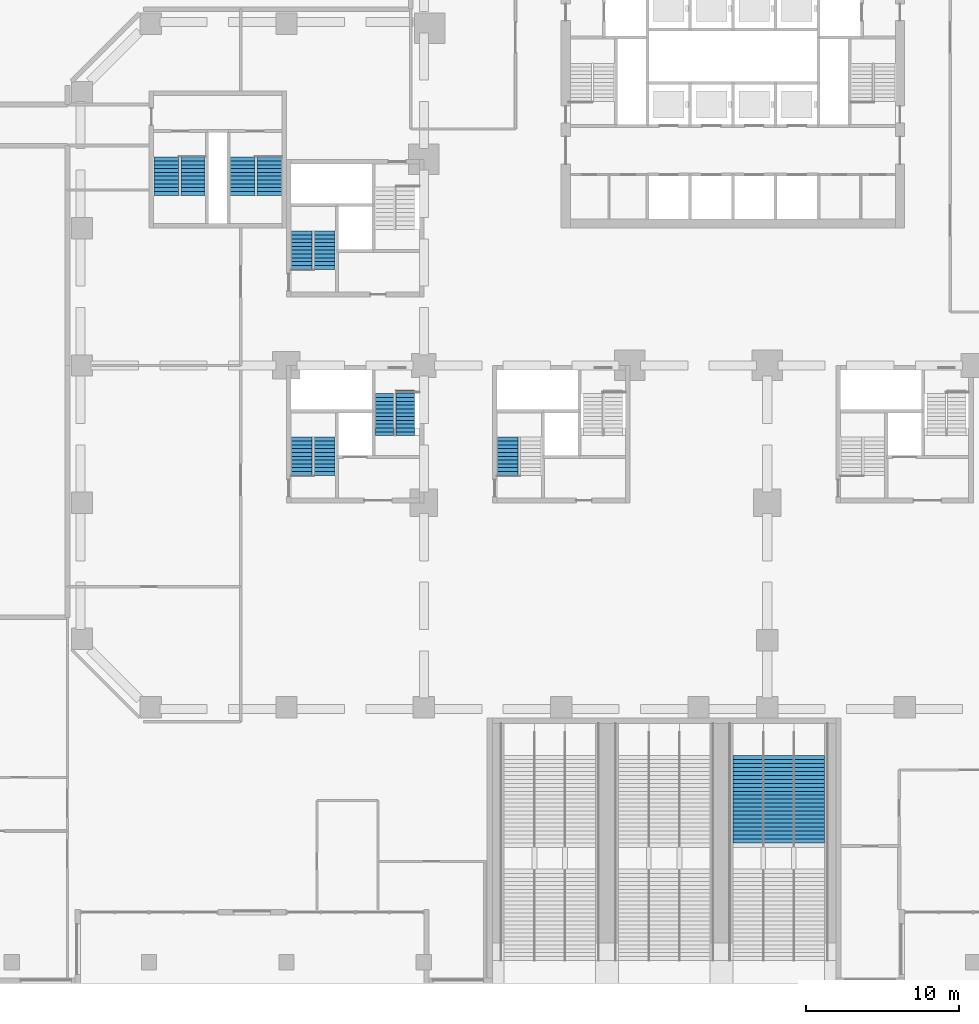
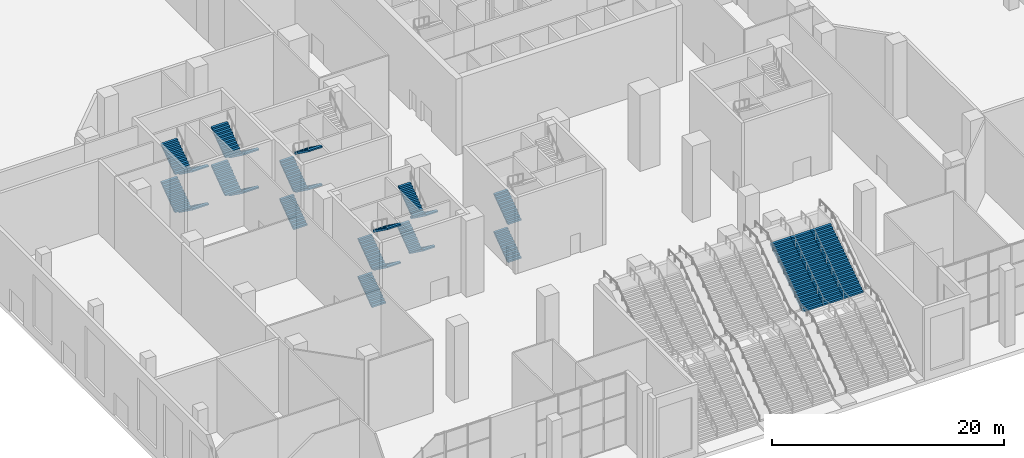
# One storey, part 19 of 32: 25 stair flights, 9 elements without a shape of their own.
"""IFC4 building model written with IfcOpenShell, lengths in metres."""

from ifc_helpers import new_model, si_unit, direction, frame, origin, place, context, subcontext, project, spatial, polyline, outline, extrude, material, constituent, constituent_set, type_object, element, aggregate, save


model = new_model("IFC4")

# Units and contexts
model_context = context("Model", 3, precision=1e-05, world=origin(), true_north=direction((0.0, 1.0)))
body_context = subcontext(model_context, "Body", "Model", "MODEL_VIEW")
ifc_project = project(units=[si_unit("LENGTHUNIT", "METRE"), si_unit("AREAUNIT", "SQUARE_METRE"), si_unit("VOLUMEUNIT", "CUBIC_METRE"), si_unit("PLANEANGLEUNIT", "RADIAN"), si_unit("MASSUNIT", "GRAM", prefix="KILO")], contexts=[model_context])

# Site, building, storey
site_placement = place(None, origin())
site = spatial("IfcSite", under=ifc_project, at=site_placement, CompositionType="ELEMENT")
building_placement = place(site_placement, origin())
building = spatial("IfcBuilding", under=site, at=building_placement, Name="Quoin Convention Tower", CompositionType="ELEMENT")
storey_placement = place(building_placement, origin())
storey = spatial("IfcBuildingStorey", under=building, at=storey_placement, Name="L00", CompositionType="ELEMENT", Elevation=0.0)

# Stair, stair flight
ifc_material_1 = material(Name="Concrete C40", Category="concrete")
ifc_constituent_1 = constituent(ifc_material_1, Name="Structure")
ifc_material_2 = material(Name="Granite", Category="masonry")
ifc_constituent_2 = constituent(ifc_material_2, Name="Finish")
ifc_constituent_set_1 = constituent_set(constituents=[ifc_constituent_1, ifc_constituent_2], Name="Concrete C40")
stair_type_1 = type_object("IfcStairType", Name="Broad street stair", PredefinedType="STRAIGHT_RUN_STAIR", material=ifc_constituent_set_1)
stair_1_placement = place(storey_placement, origin())
stair_1 = element("IfcStair", 1, at=stair_1_placement, inside=storey, type_object=stair_type_1, Name="Broad street stair 7", PredefinedType="STRAIGHT_RUN_STAIR")
ifc_constituent_3 = constituent(ifc_material_1, Name="Structure")
ifc_constituent_4 = constituent(ifc_material_2, Name="Finish")
ifc_constituent_set_2 = constituent_set(constituents=[ifc_constituent_3, ifc_constituent_4], Name="Concrete C40")
stair_flight_type_1 = type_object("IfcStairFlightType", Name="Broad street stair flight", PredefinedType="STRAIGHT", material=ifc_constituent_set_2)
stair_flight_1_placement = place(storey_placement, frame((57.25, 9.219970703125, 4.0), z_axis=(0.0, 0.0, 1.0), x_axis=(0.0, 1.0, 0.0)))
stair_flight_1 = element("IfcStairFlight", 2, at=stair_flight_1_placement, type_object=stair_flight_type_1, Name="BS7 flight 2", NumberOfRisers=23, NumberOfTreads=22, PredefinedType="STRAIGHT", RiserHeight=0.173913043, TreadLength=0.26, context=body_context, shape_type="SweptSolid", body=[
    extrude(outline(polyline([(0.0, 0.0), (0.0, 0.173828125), (0.260009765625, 0.173828125), (0.260009765625, 0.347900390625), (0.52001953125, 0.347900390625), (0.52001953125, 0.521728515625), (0.780029296875, 0.521728515625), (0.780029296875, 0.695556640625), (1.0400390625, 0.695556640625), (1.0400390625, 0.86962890625), (1.300048828125, 0.86962890625), (1.300048828125, 1.04345703125), (1.56005859375, 1.04345703125), (1.56005859375, 1.21728515625), (1.820068359375, 1.21728515625), (1.820068359375, 1.391357421875), (2.080078125, 1.391357421875), (2.080078125, 1.565185546875), (2.340087890625, 1.565185546875), (2.340087890625, 1.739013671875), (2.60009765625, 1.739013671875), (2.60009765625, 1.9130859375), (2.860107421875, 1.9130859375), (2.860107421875, 2.0869140625), (3.1201171875, 2.0869140625), (3.1201171875, 2.260986328125), (3.3798828125, 2.260986328125), (3.3798828125, 2.434814453125), (3.639892578125, 2.434814453125), (3.639892578125, 2.608642578125), (3.89990234375, 2.608642578125), (3.89990234375, 2.78271484375), (4.159912109375, 2.78271484375), (4.159912109375, 2.95654296875), (4.419921875, 2.95654296875), (4.419921875, 3.13037109375), (4.679931640625, 3.13037109375), (4.679931640625, 3.304443359375), (4.93994140625, 3.304443359375), (4.93994140625, 3.478271484375), (5.199951171875, 3.478271484375), (5.199951171875, 3.652099609375), (5.4599609375, 3.652099609375), (5.4599609375, 3.826171875), (5.719970703125, 3.826171875), (5.719970703125, 4.0), (5.719970703125, 3.645751953125), (0.26953125, 0.0), (0.0, 0.0)])), frame((0.0, 1.0, 0.0), z_axis=(0.0, -1.0, 0.0), x_axis=(1.0, 0.0, 0.0)), (0.0, 0.0, 1.0), 2.0),
])
aggregate(stair_1, [stair_flight_1])

stair_2_placement = place(storey_placement, origin())
stair_2 = element("IfcStair", 3, at=stair_2_placement, inside=storey, type_object=stair_type_1, Name="Broad street stair 8", PredefinedType="STRAIGHT_RUN_STAIR")
stair_flight_2_placement = place(storey_placement, frame((59.25, 9.219970703125, 4.0), z_axis=(0.0, 0.0, 1.0), x_axis=(0.0, 1.0, 0.0)))
stair_flight_2 = element("IfcStairFlight", 4, at=stair_flight_2_placement, type_object=stair_flight_type_1, Name="BS8 flight 2", NumberOfRisers=23, NumberOfTreads=22, PredefinedType="STRAIGHT", RiserHeight=0.173913043, TreadLength=0.26, context=body_context, shape_type="SweptSolid", body=[
    extrude(outline(polyline([(0.0, 0.0), (0.0, 0.173828125), (0.260009765625, 0.173828125), (0.260009765625, 0.347900390625), (0.52001953125, 0.347900390625), (0.52001953125, 0.521728515625), (0.780029296875, 0.521728515625), (0.780029296875, 0.695556640625), (1.0400390625, 0.695556640625), (1.0400390625, 0.86962890625), (1.300048828125, 0.86962890625), (1.300048828125, 1.04345703125), (1.56005859375, 1.04345703125), (1.56005859375, 1.21728515625), (1.820068359375, 1.21728515625), (1.820068359375, 1.391357421875), (2.080078125, 1.391357421875), (2.080078125, 1.565185546875), (2.340087890625, 1.565185546875), (2.340087890625, 1.739013671875), (2.60009765625, 1.739013671875), (2.60009765625, 1.9130859375), (2.860107421875, 1.9130859375), (2.860107421875, 2.0869140625), (3.1201171875, 2.0869140625), (3.1201171875, 2.260986328125), (3.3798828125, 2.260986328125), (3.3798828125, 2.434814453125), (3.639892578125, 2.434814453125), (3.639892578125, 2.608642578125), (3.89990234375, 2.608642578125), (3.89990234375, 2.78271484375), (4.159912109375, 2.78271484375), (4.159912109375, 2.95654296875), (4.419921875, 2.95654296875), (4.419921875, 3.13037109375), (4.679931640625, 3.13037109375), (4.679931640625, 3.304443359375), (4.93994140625, 3.304443359375), (4.93994140625, 3.478271484375), (5.199951171875, 3.478271484375), (5.199951171875, 3.652099609375), (5.4599609375, 3.652099609375), (5.4599609375, 3.826171875), (5.719970703125, 3.826171875), (5.719970703125, 4.0), (5.719970703125, 3.645751953125), (0.26953125, 0.0), (0.0, 0.0)])), frame((0.0, 1.0, 0.0), z_axis=(0.0, -1.0, 0.0), x_axis=(1.0, 0.0, 0.0)), (0.0, 0.0, 1.0), 2.0),
])
aggregate(stair_2, [stair_flight_2])

stair_3_placement = place(storey_placement, origin())
stair_3 = element("IfcStair", 5, at=stair_3_placement, inside=storey, type_object=stair_type_1, Name="Broad street stair 9", PredefinedType="STRAIGHT_RUN_STAIR")
stair_flight_3_placement = place(storey_placement, frame((61.25, 9.219970703125, 4.0), z_axis=(0.0, 0.0, 1.0), x_axis=(0.0, 1.0, 0.0)))
stair_flight_3 = element("IfcStairFlight", 6, at=stair_flight_3_placement, type_object=stair_flight_type_1, Name="BS9 flight 2", NumberOfRisers=23, NumberOfTreads=22, PredefinedType="STRAIGHT", RiserHeight=0.173913043, TreadLength=0.26, context=body_context, shape_type="SweptSolid", body=[
    extrude(outline(polyline([(0.0, 0.0), (0.0, 0.173828125), (0.260009765625, 0.173828125), (0.260009765625, 0.347900390625), (0.52001953125, 0.347900390625), (0.52001953125, 0.521728515625), (0.780029296875, 0.521728515625), (0.780029296875, 0.695556640625), (1.0400390625, 0.695556640625), (1.0400390625, 0.86962890625), (1.300048828125, 0.86962890625), (1.300048828125, 1.04345703125), (1.56005859375, 1.04345703125), (1.56005859375, 1.21728515625), (1.820068359375, 1.21728515625), (1.820068359375, 1.391357421875), (2.080078125, 1.391357421875), (2.080078125, 1.565185546875), (2.340087890625, 1.565185546875), (2.340087890625, 1.739013671875), (2.60009765625, 1.739013671875), (2.60009765625, 1.9130859375), (2.860107421875, 1.9130859375), (2.860107421875, 2.0869140625), (3.1201171875, 2.0869140625), (3.1201171875, 2.260986328125), (3.3798828125, 2.260986328125), (3.3798828125, 2.434814453125), (3.639892578125, 2.434814453125), (3.639892578125, 2.608642578125), (3.89990234375, 2.608642578125), (3.89990234375, 2.78271484375), (4.159912109375, 2.78271484375), (4.159912109375, 2.95654296875), (4.419921875, 2.95654296875), (4.419921875, 3.13037109375), (4.679931640625, 3.13037109375), (4.679931640625, 3.304443359375), (4.93994140625, 3.304443359375), (4.93994140625, 3.478271484375), (5.199951171875, 3.478271484375), (5.199951171875, 3.652099609375), (5.4599609375, 3.652099609375), (5.4599609375, 3.826171875), (5.719970703125, 3.826171875), (5.719970703125, 4.0), (5.719970703125, 3.645751953125), (0.26953125, 0.0), (0.0, 0.0)])), frame((0.0, 1.0, 0.0), z_axis=(0.0, -1.0, 0.0), x_axis=(1.0, 0.0, 0.0)), (0.0, 0.0, 1.0), 2.0),
])
aggregate(stair_3, [stair_flight_3])

# Stair, stair flights
stair_type_2 = type_object("IfcStairType", Name="Exit stair four-flight 1200", PredefinedType="DOUBLE_RETURN_STAIR", material=ifc_material_1)
stair_4_placement = place(storey_placement, origin())
stair_4 = element("IfcStair", 7, at=stair_4_placement, inside=storey, type_object=stair_type_2, Name="SD8 L00", PredefinedType="DOUBLE_RETURN_STAIR")
stair_flight_type_2 = type_object("IfcStairFlightType", Name="Stair flight 1200", PredefinedType="STRAIGHT", material=ifc_material_1)
stair_flight_4_placement = place(storey_placement, frame((34.77490234375, 38.89990234375, 0.0), z_axis=(0.0, 0.0, 1.0), x_axis=(0.0, -1.0, 0.0)))
stair_flight_4 = element("IfcStairFlight", 8, at=stair_flight_4_placement, type_object=stair_flight_type_2, Name="ST8 flight 1", NumberOfRisers=11, NumberOfTreads=10, PredefinedType="STRAIGHT", RiserHeight=0.181818182, TreadLength=0.25, context=body_context, shape_type="SweptSolid", body=[
    extrude(outline(polyline([(0.0, 0.0), (0.0, 0.181884765625), (0.25, 0.181884765625), (0.25, 0.363525390625), (0.5, 0.363525390625), (0.5, 0.54541015625), (0.75, 0.54541015625), (0.75, 0.727294921875), (1.0, 0.727294921875), (1.0, 0.9091796875), (1.25, 0.9091796875), (1.25, 1.0908203125), (1.5, 1.0908203125), (1.5, 1.272705078125), (1.75, 1.272705078125), (1.75, 1.45458984375), (2.0, 1.45458984375), (2.0, 1.636474609375), (2.25, 1.636474609375), (2.25, 1.818115234375), (2.5, 1.818115234375), (2.5, 2.0), (2.5, 1.669677734375), (0.2041015625, 0.0), (0.0, 0.0)])), frame((0.0, 0.60009765625, 0.0), z_axis=(0.0, -1.0, 0.0), x_axis=(1.0, 0.0, 0.0)), (0.0, 0.0, 1.0), 1.199951171875),
])
stair_flight_5_placement = place(storey_placement, frame((33.425048828125, 36.39990234375, 2.0), z_axis=(0.0, 0.0, 1.0), x_axis=(0.0, 1.0, 0.0)))
stair_flight_5 = element("IfcStairFlight", 9, at=stair_flight_5_placement, type_object=stair_flight_type_2, Name="ST8 flight 2", NumberOfRisers=10, NumberOfTreads=9, PredefinedType="STRAIGHT", RiserHeight=0.181818182, TreadLength=0.25, context=body_context, shape_type="SweptSolid", body=[
    extrude(outline(polyline([(0.0, 0.0), (0.0, 0.181884765625), (0.25, 0.181884765625), (0.25, 0.363525390625), (0.5, 0.363525390625), (0.5, 0.54541015625), (0.75, 0.54541015625), (0.75, 0.727294921875), (1.0, 0.727294921875), (1.0, 0.9091796875), (1.25, 0.9091796875), (1.25, 1.0908203125), (1.5, 1.0908203125), (1.5, 1.272705078125), (1.75, 1.272705078125), (1.75, 1.45458984375), (2.0, 1.45458984375), (2.0, 1.636474609375), (2.25, 1.636474609375), (2.25, 1.818115234375), (2.25, 1.48779296875), (0.2041015625, 0.0), (0.0, 0.0)])), frame((0.0, 0.60009765625, 0.0), z_axis=(0.0, -1.0, 0.0), x_axis=(1.0, 0.0, 0.0)), (0.0, 0.0, 1.0), 1.199951171875),
])
stair_flight_6_placement = place(storey_placement, frame((34.77490234375, 38.64990234375, 3.818115234375), z_axis=(0.0, 0.0, 1.0), x_axis=(0.0, -1.0, 0.0)))
stair_flight_6 = element("IfcStairFlight", 10, at=stair_flight_6_placement, type_object=stair_flight_type_2, Name="ST8 flight 3", NumberOfRisers=12, NumberOfTreads=11, PredefinedType="STRAIGHT", RiserHeight=0.181818182, TreadLength=0.25, context=body_context, shape_type="SweptSolid", body=[
    extrude(outline(polyline([(0.0, 0.0), (0.0, 0.181884765625), (0.25, 0.181884765625), (0.25, 0.363525390625), (0.5, 0.363525390625), (0.5, 0.54541015625), (0.75, 0.54541015625), (0.75, 0.727294921875), (1.0, 0.727294921875), (1.0, 0.9091796875), (1.25, 0.9091796875), (1.25, 1.0908203125), (1.5, 1.0908203125), (1.5, 1.272705078125), (1.75, 1.272705078125), (1.75, 1.45458984375), (2.0, 1.45458984375), (2.0, 1.636474609375), (2.25, 1.636474609375), (2.25, 1.818115234375), (2.5, 1.818115234375), (2.5, 2.0), (2.75, 2.0), (2.75, 2.181884765625), (2.75, 1.8515625), (0.2041015625, 0.0), (0.0, 0.0)])), frame((0.0, 0.60009765625, 0.0), z_axis=(0.0, -1.0, 0.0), x_axis=(1.0, 0.0, 0.0)), (0.0, 0.0, 1.0), 1.199951171875),
])
stair_flight_7_placement = place(storey_placement, frame((33.425048828125, 35.89990234375, 6.0), z_axis=(0.0, 0.0, 1.0), x_axis=(0.0, 1.0, 0.0)))
stair_flight_7 = element("IfcStairFlight", 11, at=stair_flight_7_placement, type_object=stair_flight_type_2, Name="ST8 flight 4", NumberOfRisers=11, NumberOfTreads=10, PredefinedType="STRAIGHT", RiserHeight=0.181818182, TreadLength=0.25, context=body_context, shape_type="SweptSolid", body=[
    extrude(outline(polyline([(0.0, 0.0), (0.0, 0.181884765625), (0.25, 0.181884765625), (0.25, 0.363525390625), (0.5, 0.363525390625), (0.5, 0.54541015625), (0.75, 0.54541015625), (0.75, 0.727294921875), (1.0, 0.727294921875), (1.0, 0.9091796875), (1.25, 0.9091796875), (1.25, 1.0908203125), (1.5, 1.0908203125), (1.5, 1.272705078125), (1.75, 1.272705078125), (1.75, 1.45458984375), (2.0, 1.45458984375), (2.0, 1.636474609375), (2.25, 1.636474609375), (2.25, 1.818115234375), (2.5, 1.818115234375), (2.5, 2.0), (2.5, 1.669677734375), (0.2041015625, 0.0), (0.0, 0.0)])), frame((0.0, 0.60009765625, 0.0), z_axis=(0.0, -1.0, 0.0), x_axis=(1.0, 0.0, 0.0)), (0.0, 0.0, 1.0), 1.199951171875),
])
aggregate(stair_4, [stair_flight_4, stair_flight_5, stair_flight_6, stair_flight_7])

stair_type_3 = type_object("IfcStairType", Name="Exit stair four-flight 1350", PredefinedType="DOUBLE_RETURN_STAIR", material=ifc_material_1)
stair_5_placement = place(storey_placement, origin())
stair_5 = element("IfcStair", 12, at=stair_5_placement, inside=storey, type_object=stair_type_3, Name="SD3 L00", PredefinedType="DOUBLE_RETURN_STAIR")
stair_flight_type_3 = type_object("IfcStairFlightType", Name="Stair flight 1350", PredefinedType="STRAIGHT", material=ifc_material_1)
stair_flight_8_placement = place(storey_placement, frame((28.0, 46.800048828125, 0.0), z_axis=(0.0, 0.0, 1.0), x_axis=(0.0, 1.0, 0.0)))
stair_flight_8 = element("IfcStairFlight", 13, at=stair_flight_8_placement, type_object=stair_flight_type_3, Name="ST3 flight 1", NumberOfRisers=11, NumberOfTreads=10, PredefinedType="STRAIGHT", RiserHeight=0.181818182, TreadLength=0.25, context=body_context, shape_type="SweptSolid", body=[
    extrude(outline(polyline([(0.0, 0.0), (0.0, 0.181884765625), (0.25, 0.181884765625), (0.25, 0.363525390625), (0.5, 0.363525390625), (0.5, 0.54541015625), (0.75, 0.54541015625), (0.75, 0.727294921875), (1.0, 0.727294921875), (1.0, 0.9091796875), (1.25, 0.9091796875), (1.25, 1.0908203125), (1.5, 1.0908203125), (1.5, 1.272705078125), (1.75, 1.272705078125), (1.75, 1.45458984375), (2.0, 1.45458984375), (2.0, 1.636474609375), (2.25, 1.636474609375), (2.25, 1.818115234375), (2.5, 1.818115234375), (2.5, 2.0), (2.5, 1.669677734375), (0.2041015625, 0.0), (0.0, 0.0)])), frame((0.0, 0.675048828125, 0.0), z_axis=(0.0, -1.0, 0.0), x_axis=(1.0, 0.0, 0.0)), (0.0, 0.0, 1.0), 1.35009765625),
])
stair_flight_9_placement = place(storey_placement, frame((29.5, 49.300048828125, 2.0), z_axis=(0.0, 0.0, 1.0), x_axis=(0.0, -1.0, 0.0)))
stair_flight_9 = element("IfcStairFlight", 14, at=stair_flight_9_placement, type_object=stair_flight_type_3, Name="ST3 flight 2", NumberOfRisers=11, NumberOfTreads=10, PredefinedType="STRAIGHT", RiserHeight=0.181818182, TreadLength=0.25, context=body_context, shape_type="SweptSolid", body=[
    extrude(outline(polyline([(0.0, 0.0), (0.0, 0.181884765625), (0.25, 0.181884765625), (0.25, 0.363525390625), (0.5, 0.363525390625), (0.5, 0.54541015625), (0.75, 0.54541015625), (0.75, 0.727294921875), (1.0, 0.727294921875), (1.0, 0.9091796875), (1.25, 0.9091796875), (1.25, 1.0908203125), (1.5, 1.0908203125), (1.5, 1.272705078125), (1.75, 1.272705078125), (1.75, 1.45458984375), (2.0, 1.45458984375), (2.0, 1.636474609375), (2.25, 1.636474609375), (2.25, 1.818115234375), (2.5, 1.818115234375), (2.5, 2.0), (2.5, 1.669677734375), (0.2041015625, 0.0), (0.0, 0.0)])), frame((0.0, 0.675048828125, 0.0), z_axis=(0.0, -1.0, 0.0), x_axis=(1.0, 0.0, 0.0)), (0.0, 0.0, 1.0), 1.35009765625),
])
stair_flight_10_placement = place(storey_placement, frame((28.0, 46.800048828125, 4.0), z_axis=(0.0, 0.0, 1.0), x_axis=(0.0, 1.0, 0.0)))
stair_flight_10 = element("IfcStairFlight", 15, at=stair_flight_10_placement, type_object=stair_flight_type_3, Name="ST3 flight 3", NumberOfRisers=11, NumberOfTreads=10, PredefinedType="STRAIGHT", RiserHeight=0.181818182, TreadLength=0.25, context=body_context, shape_type="SweptSolid", body=[
    extrude(outline(polyline([(0.0, 0.0), (0.0, 0.181884765625), (0.25, 0.181884765625), (0.25, 0.363525390625), (0.5, 0.363525390625), (0.5, 0.54541015625), (0.75, 0.54541015625), (0.75, 0.727294921875), (1.0, 0.727294921875), (1.0, 0.9091796875), (1.25, 0.9091796875), (1.25, 1.0908203125), (1.5, 1.0908203125), (1.5, 1.272705078125), (1.75, 1.272705078125), (1.75, 1.45458984375), (2.0, 1.45458984375), (2.0, 1.636474609375), (2.25, 1.636474609375), (2.25, 1.818115234375), (2.5, 1.818115234375), (2.5, 2.0), (2.5, 1.669677734375), (0.2041015625, 0.0), (0.0, 0.0)])), frame((0.0, 0.675048828125, 0.0), z_axis=(0.0, -1.0, 0.0), x_axis=(1.0, 0.0, 0.0)), (0.0, 0.0, 1.0), 1.35009765625),
])
stair_flight_11_placement = place(storey_placement, frame((29.5, 49.300048828125, 6.0), z_axis=(0.0, 0.0, 1.0), x_axis=(0.0, -1.0, 0.0)))
stair_flight_11 = element("IfcStairFlight", 16, at=stair_flight_11_placement, type_object=stair_flight_type_3, Name="ST3 flight 4", NumberOfRisers=11, NumberOfTreads=10, PredefinedType="STRAIGHT", RiserHeight=0.181818182, TreadLength=0.25, context=body_context, shape_type="SweptSolid", body=[
    extrude(outline(polyline([(0.0, 0.0), (0.0, 0.181884765625), (0.25, 0.181884765625), (0.25, 0.363525390625), (0.5, 0.363525390625), (0.5, 0.54541015625), (0.75, 0.54541015625), (0.75, 0.727294921875), (1.0, 0.727294921875), (1.0, 0.9091796875), (1.25, 0.9091796875), (1.25, 1.0908203125), (1.5, 1.0908203125), (1.5, 1.272705078125), (1.75, 1.272705078125), (1.75, 1.45458984375), (2.0, 1.45458984375), (2.0, 1.636474609375), (2.25, 1.636474609375), (2.25, 1.818115234375), (2.5, 1.818115234375), (2.5, 2.0), (2.5, 1.669677734375), (0.2041015625, 0.0), (0.0, 0.0)])), frame((0.0, 0.675048828125, 0.0), z_axis=(0.0, -1.0, 0.0), x_axis=(1.0, 0.0, 0.0)), (0.0, 0.0, 1.0), 1.35009765625),
])
aggregate(stair_5, [stair_flight_8, stair_flight_9, stair_flight_10, stair_flight_11])

stair_6_placement = place(storey_placement, origin())
stair_6 = element("IfcStair", 17, at=stair_6_placement, inside=storey, type_object=stair_type_3, Name="SD5 L00", PredefinedType="DOUBLE_RETURN_STAIR")
stair_flight_12_placement = place(storey_placement, frame((41.5, 33.300048828125, 0.0), z_axis=(0.0, 0.0, 1.0), x_axis=(0.0, 1.0, 0.0)))
stair_flight_12 = element("IfcStairFlight", 18, at=stair_flight_12_placement, type_object=stair_flight_type_3, Name="ST5 flight 1", NumberOfRisers=11, NumberOfTreads=10, PredefinedType="STRAIGHT", RiserHeight=0.181818182, TreadLength=0.25, context=body_context, shape_type="SweptSolid", body=[
    extrude(outline(polyline([(0.0, 0.0), (0.0, 0.181884765625), (0.25, 0.181884765625), (0.25, 0.363525390625), (0.5, 0.363525390625), (0.5, 0.54541015625), (0.75, 0.54541015625), (0.75, 0.727294921875), (1.0, 0.727294921875), (1.0, 0.9091796875), (1.25, 0.9091796875), (1.25, 1.0908203125), (1.5, 1.0908203125), (1.5, 1.272705078125), (1.75, 1.272705078125), (1.75, 1.45458984375), (2.0, 1.45458984375), (2.0, 1.636474609375), (2.25, 1.636474609375), (2.25, 1.818115234375), (2.5, 1.818115234375), (2.5, 2.0), (2.5, 1.669677734375), (0.2041015625, 0.0), (0.0, 0.0)])), frame((0.0, 0.675048828125, 0.0), z_axis=(0.0, -1.0, 0.0), x_axis=(1.0, 0.0, 0.0)), (0.0, 0.0, 1.0), 1.35009765625),
])
stair_flight_13_placement = place(storey_placement, frame((41.5, 33.300048828125, 4.0), z_axis=(0.0, 0.0, 1.0), x_axis=(0.0, 1.0, 0.0)))
stair_flight_13 = element("IfcStairFlight", 19, at=stair_flight_13_placement, type_object=stair_flight_type_3, Name="ST5 flight 3", NumberOfRisers=11, NumberOfTreads=10, PredefinedType="STRAIGHT", RiserHeight=0.181818182, TreadLength=0.25, context=body_context, shape_type="SweptSolid", body=[
    extrude(outline(polyline([(0.0, 0.0), (0.0, 0.181884765625), (0.25, 0.181884765625), (0.25, 0.363525390625), (0.5, 0.363525390625), (0.5, 0.54541015625), (0.75, 0.54541015625), (0.75, 0.727294921875), (1.0, 0.727294921875), (1.0, 0.9091796875), (1.25, 0.9091796875), (1.25, 1.0908203125), (1.5, 1.0908203125), (1.5, 1.272705078125), (1.75, 1.272705078125), (1.75, 1.45458984375), (2.0, 1.45458984375), (2.0, 1.636474609375), (2.25, 1.636474609375), (2.25, 1.818115234375), (2.5, 1.818115234375), (2.5, 2.0), (2.5, 1.669677734375), (0.2041015625, 0.0), (0.0, 0.0)])), frame((0.0, 0.675048828125, 0.0), z_axis=(0.0, -1.0, 0.0), x_axis=(1.0, 0.0, 0.0)), (0.0, 0.0, 1.0), 1.35009765625),
])
aggregate(stair_6, [stair_flight_12, stair_flight_13])

stair_7_placement = place(storey_placement, origin())
stair_7 = element("IfcStair", 20, at=stair_7_placement, inside=storey, type_object=stair_type_3, Name="SD7 L00", PredefinedType="DOUBLE_RETURN_STAIR")
stair_flight_14_placement = place(storey_placement, frame((28.0, 33.300048828125, 0.0), z_axis=(0.0, 0.0, 1.0), x_axis=(0.0, 1.0, 0.0)))
stair_flight_14 = element("IfcStairFlight", 21, at=stair_flight_14_placement, type_object=stair_flight_type_3, Name="ST7 flight 1", NumberOfRisers=11, NumberOfTreads=10, PredefinedType="STRAIGHT", RiserHeight=0.181818182, TreadLength=0.25, context=body_context, shape_type="SweptSolid", body=[
    extrude(outline(polyline([(0.0, 0.0), (0.0, 0.181884765625), (0.25, 0.181884765625), (0.25, 0.363525390625), (0.5, 0.363525390625), (0.5, 0.54541015625), (0.75, 0.54541015625), (0.75, 0.727294921875), (1.0, 0.727294921875), (1.0, 0.9091796875), (1.25, 0.9091796875), (1.25, 1.0908203125), (1.5, 1.0908203125), (1.5, 1.272705078125), (1.75, 1.272705078125), (1.75, 1.45458984375), (2.0, 1.45458984375), (2.0, 1.636474609375), (2.25, 1.636474609375), (2.25, 1.818115234375), (2.5, 1.818115234375), (2.5, 2.0), (2.5, 1.669677734375), (0.2041015625, 0.0), (0.0, 0.0)])), frame((0.0, 0.675048828125, 0.0), z_axis=(0.0, -1.0, 0.0), x_axis=(1.0, 0.0, 0.0)), (0.0, 0.0, 1.0), 1.35009765625),
])
stair_flight_15_placement = place(storey_placement, frame((29.5, 35.800048828125, 2.0), z_axis=(0.0, 0.0, 1.0), x_axis=(0.0, -1.0, 0.0)))
stair_flight_15 = element("IfcStairFlight", 22, at=stair_flight_15_placement, type_object=stair_flight_type_3, Name="ST7 flight 2", NumberOfRisers=11, NumberOfTreads=10, PredefinedType="STRAIGHT", RiserHeight=0.181818182, TreadLength=0.25, context=body_context, shape_type="SweptSolid", body=[
    extrude(outline(polyline([(0.0, 0.0), (0.0, 0.181884765625), (0.25, 0.181884765625), (0.25, 0.363525390625), (0.5, 0.363525390625), (0.5, 0.54541015625), (0.75, 0.54541015625), (0.75, 0.727294921875), (1.0, 0.727294921875), (1.0, 0.9091796875), (1.25, 0.9091796875), (1.25, 1.0908203125), (1.5, 1.0908203125), (1.5, 1.272705078125), (1.75, 1.272705078125), (1.75, 1.45458984375), (2.0, 1.45458984375), (2.0, 1.636474609375), (2.25, 1.636474609375), (2.25, 1.818115234375), (2.5, 1.818115234375), (2.5, 2.0), (2.5, 1.669677734375), (0.2041015625, 0.0), (0.0, 0.0)])), frame((0.0, 0.675048828125, 0.0), z_axis=(0.0, -1.0, 0.0), x_axis=(1.0, 0.0, 0.0)), (0.0, 0.0, 1.0), 1.35009765625),
])
stair_flight_16_placement = place(storey_placement, frame((28.0, 33.300048828125, 4.0), z_axis=(0.0, 0.0, 1.0), x_axis=(0.0, 1.0, 0.0)))
stair_flight_16 = element("IfcStairFlight", 23, at=stair_flight_16_placement, type_object=stair_flight_type_3, Name="ST7 flight 3", NumberOfRisers=11, NumberOfTreads=10, PredefinedType="STRAIGHT", RiserHeight=0.181818182, TreadLength=0.25, context=body_context, shape_type="SweptSolid", body=[
    extrude(outline(polyline([(0.0, 0.0), (0.0, 0.181884765625), (0.25, 0.181884765625), (0.25, 0.363525390625), (0.5, 0.363525390625), (0.5, 0.54541015625), (0.75, 0.54541015625), (0.75, 0.727294921875), (1.0, 0.727294921875), (1.0, 0.9091796875), (1.25, 0.9091796875), (1.25, 1.0908203125), (1.5, 1.0908203125), (1.5, 1.272705078125), (1.75, 1.272705078125), (1.75, 1.45458984375), (2.0, 1.45458984375), (2.0, 1.636474609375), (2.25, 1.636474609375), (2.25, 1.818115234375), (2.5, 1.818115234375), (2.5, 2.0), (2.5, 1.669677734375), (0.2041015625, 0.0), (0.0, 0.0)])), frame((0.0, 0.675048828125, 0.0), z_axis=(0.0, -1.0, 0.0), x_axis=(1.0, 0.0, 0.0)), (0.0, 0.0, 1.0), 1.35009765625),
])
stair_flight_17_placement = place(storey_placement, frame((29.5, 35.800048828125, 6.0), z_axis=(0.0, 0.0, 1.0), x_axis=(0.0, -1.0, 0.0)))
stair_flight_17 = element("IfcStairFlight", 24, at=stair_flight_17_placement, type_object=stair_flight_type_3, Name="ST7 flight 4", NumberOfRisers=11, NumberOfTreads=10, PredefinedType="STRAIGHT", RiserHeight=0.181818182, TreadLength=0.25, context=body_context, shape_type="SweptSolid", body=[
    extrude(outline(polyline([(0.0, 0.0), (0.0, 0.181884765625), (0.25, 0.181884765625), (0.25, 0.363525390625), (0.5, 0.363525390625), (0.5, 0.54541015625), (0.75, 0.54541015625), (0.75, 0.727294921875), (1.0, 0.727294921875), (1.0, 0.9091796875), (1.25, 0.9091796875), (1.25, 1.0908203125), (1.5, 1.0908203125), (1.5, 1.272705078125), (1.75, 1.272705078125), (1.75, 1.45458984375), (2.0, 1.45458984375), (2.0, 1.636474609375), (2.25, 1.636474609375), (2.25, 1.818115234375), (2.5, 1.818115234375), (2.5, 2.0), (2.5, 1.669677734375), (0.2041015625, 0.0), (0.0, 0.0)])), frame((0.0, 0.675048828125, 0.0), z_axis=(0.0, -1.0, 0.0), x_axis=(1.0, 0.0, 0.0)), (0.0, 0.0, 1.0), 1.35009765625),
])
aggregate(stair_7, [stair_flight_14, stair_flight_15, stair_flight_16, stair_flight_17])

stair_type_4 = type_object("IfcStairType", Name="Exit stair four-flight 1600", PredefinedType="DOUBLE_RETURN_STAIR", material=ifc_material_1)
stair_8_placement = place(storey_placement, origin())
stair_8 = element("IfcStair", 25, at=stair_8_placement, inside=storey, type_object=stair_type_4, Name="SD11 L00", PredefinedType="DOUBLE_RETURN_STAIR")
stair_flight_type_4 = type_object("IfcStairFlightType", Name="Stair flight 1600", PredefinedType="STRAIGHT", material=ifc_material_1)
stair_flight_18_placement = place(storey_placement, frame((20.875, 54.14990234375, 0.0), z_axis=(0.0, 0.0, 1.0), x_axis=(0.0, -1.0, 0.0)))
stair_flight_18 = element("IfcStairFlight", 26, at=stair_flight_18_placement, type_object=stair_flight_type_4, Name="ST11 flight 1", NumberOfRisers=11, NumberOfTreads=10, PredefinedType="STRAIGHT", RiserHeight=0.181818182, TreadLength=0.25, context=body_context, shape_type="SweptSolid", body=[
    extrude(outline(polyline([(0.0, 0.0), (0.0, 0.181884765625), (0.25, 0.181884765625), (0.25, 0.363525390625), (0.5, 0.363525390625), (0.5, 0.54541015625), (0.75, 0.54541015625), (0.75, 0.727294921875), (1.0, 0.727294921875), (1.0, 0.9091796875), (1.25, 0.9091796875), (1.25, 1.0908203125), (1.5, 1.0908203125), (1.5, 1.272705078125), (1.75, 1.272705078125), (1.75, 1.45458984375), (2.0, 1.45458984375), (2.0, 1.636474609375), (2.25, 1.636474609375), (2.25, 1.818115234375), (2.5, 1.818115234375), (2.5, 2.0), (2.5, 1.669677734375), (0.2041015625, 0.0), (0.0, 0.0)])), frame((0.0, 0.800048828125, 0.0), z_axis=(0.0, -1.0, 0.0), x_axis=(1.0, 0.0, 0.0)), (0.0, 0.0, 1.0), 1.60009765625),
])
stair_flight_19_placement = place(storey_placement, frame((19.125, 51.64990234375, 2.0), z_axis=(0.0, 0.0, 1.0), x_axis=(0.0, 1.0, 0.0)))
stair_flight_19 = element("IfcStairFlight", 27, at=stair_flight_19_placement, type_object=stair_flight_type_4, Name="ST11 flight 2", NumberOfRisers=11, NumberOfTreads=10, PredefinedType="STRAIGHT", RiserHeight=0.181818182, TreadLength=0.25, context=body_context, shape_type="SweptSolid", body=[
    extrude(outline(polyline([(0.0, 0.0), (0.0, 0.181884765625), (0.25, 0.181884765625), (0.25, 0.363525390625), (0.5, 0.363525390625), (0.5, 0.54541015625), (0.75, 0.54541015625), (0.75, 0.727294921875), (1.0, 0.727294921875), (1.0, 0.9091796875), (1.25, 0.9091796875), (1.25, 1.0908203125), (1.5, 1.0908203125), (1.5, 1.272705078125), (1.75, 1.272705078125), (1.75, 1.45458984375), (2.0, 1.45458984375), (2.0, 1.636474609375), (2.25, 1.636474609375), (2.25, 1.818115234375), (2.5, 1.818115234375), (2.5, 2.0), (2.5, 1.669677734375), (0.2041015625, 0.0), (0.0, 0.0)])), frame((0.0, 0.800048828125, 0.0), z_axis=(0.0, -1.0, 0.0), x_axis=(1.0, 0.0, 0.0)), (0.0, 0.0, 1.0), 1.60009765625),
])
stair_flight_20_placement = place(storey_placement, frame((20.875, 54.14990234375, 4.0), z_axis=(0.0, 0.0, 1.0), x_axis=(0.0, -1.0, 0.0)))
stair_flight_20 = element("IfcStairFlight", 28, at=stair_flight_20_placement, type_object=stair_flight_type_4, Name="ST11 flight 3", NumberOfRisers=11, NumberOfTreads=10, PredefinedType="STRAIGHT", RiserHeight=0.181818182, TreadLength=0.25, context=body_context, shape_type="SweptSolid", body=[
    extrude(outline(polyline([(0.0, 0.0), (0.0, 0.181884765625), (0.25, 0.181884765625), (0.25, 0.363525390625), (0.5, 0.363525390625), (0.5, 0.54541015625), (0.75, 0.54541015625), (0.75, 0.727294921875), (1.0, 0.727294921875), (1.0, 0.9091796875), (1.25, 0.9091796875), (1.25, 1.0908203125), (1.5, 1.0908203125), (1.5, 1.272705078125), (1.75, 1.272705078125), (1.75, 1.45458984375), (2.0, 1.45458984375), (2.0, 1.636474609375), (2.25, 1.636474609375), (2.25, 1.818115234375), (2.5, 1.818115234375), (2.5, 2.0), (2.5, 1.669677734375), (0.2041015625, 0.0), (0.0, 0.0)])), frame((0.0, 0.800048828125, 0.0), z_axis=(0.0, -1.0, 0.0), x_axis=(1.0, 0.0, 0.0)), (0.0, 0.0, 1.0), 1.60009765625),
])
stair_flight_21_placement = place(storey_placement, frame((19.125, 51.64990234375, 6.0), z_axis=(0.0, 0.0, 1.0), x_axis=(0.0, 1.0, 0.0)))
stair_flight_21 = element("IfcStairFlight", 29, at=stair_flight_21_placement, type_object=stair_flight_type_4, Name="ST11 flight 4", NumberOfRisers=11, NumberOfTreads=10, PredefinedType="STRAIGHT", RiserHeight=0.181818182, TreadLength=0.25, context=body_context, shape_type="SweptSolid", body=[
    extrude(outline(polyline([(0.0, 0.0), (0.0, 0.181884765625), (0.25, 0.181884765625), (0.25, 0.363525390625), (0.5, 0.363525390625), (0.5, 0.54541015625), (0.75, 0.54541015625), (0.75, 0.727294921875), (1.0, 0.727294921875), (1.0, 0.9091796875), (1.25, 0.9091796875), (1.25, 1.0908203125), (1.5, 1.0908203125), (1.5, 1.272705078125), (1.75, 1.272705078125), (1.75, 1.45458984375), (2.0, 1.45458984375), (2.0, 1.636474609375), (2.25, 1.636474609375), (2.25, 1.818115234375), (2.5, 1.818115234375), (2.5, 2.0), (2.5, 1.669677734375), (0.2041015625, 0.0), (0.0, 0.0)])), frame((0.0, 0.800048828125, 0.0), z_axis=(0.0, -1.0, 0.0), x_axis=(1.0, 0.0, 0.0)), (0.0, 0.0, 1.0), 1.60009765625),
])
aggregate(stair_8, [stair_flight_18, stair_flight_19, stair_flight_20, stair_flight_21])

stair_9_placement = place(storey_placement, origin())
stair_9 = element("IfcStair", 30, at=stair_9_placement, inside=storey, type_object=stair_type_4, Name="SD12 L00", PredefinedType="DOUBLE_RETURN_STAIR")
stair_flight_22_placement = place(storey_placement, frame((25.875, 54.14990234375, 0.0), z_axis=(0.0, 0.0, 1.0), x_axis=(0.0, -1.0, 0.0)))
stair_flight_22 = element("IfcStairFlight", 31, at=stair_flight_22_placement, type_object=stair_flight_type_4, Name="ST12 flight 1", NumberOfRisers=11, NumberOfTreads=10, PredefinedType="STRAIGHT", RiserHeight=0.181818182, TreadLength=0.25, context=body_context, shape_type="SweptSolid", body=[
    extrude(outline(polyline([(0.0, 0.0), (0.0, 0.181884765625), (0.25, 0.181884765625), (0.25, 0.363525390625), (0.5, 0.363525390625), (0.5, 0.54541015625), (0.75, 0.54541015625), (0.75, 0.727294921875), (1.0, 0.727294921875), (1.0, 0.9091796875), (1.25, 0.9091796875), (1.25, 1.0908203125), (1.5, 1.0908203125), (1.5, 1.272705078125), (1.75, 1.272705078125), (1.75, 1.45458984375), (2.0, 1.45458984375), (2.0, 1.636474609375), (2.25, 1.636474609375), (2.25, 1.818115234375), (2.5, 1.818115234375), (2.5, 2.0), (2.5, 1.669677734375), (0.2041015625, 0.0), (0.0, 0.0)])), frame((0.0, 0.800048828125, 0.0), z_axis=(0.0, -1.0, 0.0), x_axis=(1.0, 0.0, 0.0)), (0.0, 0.0, 1.0), 1.60009765625),
])
stair_flight_23_placement = place(storey_placement, frame((24.125, 51.64990234375, 2.0), z_axis=(0.0, 0.0, 1.0), x_axis=(0.0, 1.0, 0.0)))
stair_flight_23 = element("IfcStairFlight", 32, at=stair_flight_23_placement, type_object=stair_flight_type_4, Name="ST12 flight 2", NumberOfRisers=11, NumberOfTreads=10, PredefinedType="STRAIGHT", RiserHeight=0.181818182, TreadLength=0.25, context=body_context, shape_type="SweptSolid", body=[
    extrude(outline(polyline([(0.0, 0.0), (0.0, 0.181884765625), (0.25, 0.181884765625), (0.25, 0.363525390625), (0.5, 0.363525390625), (0.5, 0.54541015625), (0.75, 0.54541015625), (0.75, 0.727294921875), (1.0, 0.727294921875), (1.0, 0.9091796875), (1.25, 0.9091796875), (1.25, 1.0908203125), (1.5, 1.0908203125), (1.5, 1.272705078125), (1.75, 1.272705078125), (1.75, 1.45458984375), (2.0, 1.45458984375), (2.0, 1.636474609375), (2.25, 1.636474609375), (2.25, 1.818115234375), (2.5, 1.818115234375), (2.5, 2.0), (2.5, 1.669677734375), (0.2041015625, 0.0), (0.0, 0.0)])), frame((0.0, 0.800048828125, 0.0), z_axis=(0.0, -1.0, 0.0), x_axis=(1.0, 0.0, 0.0)), (0.0, 0.0, 1.0), 1.60009765625),
])
stair_flight_24_placement = place(storey_placement, frame((25.875, 54.14990234375, 4.0), z_axis=(0.0, 0.0, 1.0), x_axis=(0.0, -1.0, 0.0)))
stair_flight_24 = element("IfcStairFlight", 33, at=stair_flight_24_placement, type_object=stair_flight_type_4, Name="ST12 flight 3", NumberOfRisers=11, NumberOfTreads=10, PredefinedType="STRAIGHT", RiserHeight=0.181818182, TreadLength=0.25, context=body_context, shape_type="SweptSolid", body=[
    extrude(outline(polyline([(0.0, 0.0), (0.0, 0.181884765625), (0.25, 0.181884765625), (0.25, 0.363525390625), (0.5, 0.363525390625), (0.5, 0.54541015625), (0.75, 0.54541015625), (0.75, 0.727294921875), (1.0, 0.727294921875), (1.0, 0.9091796875), (1.25, 0.9091796875), (1.25, 1.0908203125), (1.5, 1.0908203125), (1.5, 1.272705078125), (1.75, 1.272705078125), (1.75, 1.45458984375), (2.0, 1.45458984375), (2.0, 1.636474609375), (2.25, 1.636474609375), (2.25, 1.818115234375), (2.5, 1.818115234375), (2.5, 2.0), (2.5, 1.669677734375), (0.2041015625, 0.0), (0.0, 0.0)])), frame((0.0, 0.800048828125, 0.0), z_axis=(0.0, -1.0, 0.0), x_axis=(1.0, 0.0, 0.0)), (0.0, 0.0, 1.0), 1.60009765625),
])
stair_flight_25_placement = place(storey_placement, frame((24.125, 51.64990234375, 6.0), z_axis=(0.0, 0.0, 1.0), x_axis=(0.0, 1.0, 0.0)))
stair_flight_25 = element("IfcStairFlight", 34, at=stair_flight_25_placement, type_object=stair_flight_type_4, Name="ST12 flight 4", NumberOfRisers=11, NumberOfTreads=10, PredefinedType="STRAIGHT", RiserHeight=0.181818182, TreadLength=0.25, context=body_context, shape_type="SweptSolid", body=[
    extrude(outline(polyline([(0.0, 0.0), (0.0, 0.181884765625), (0.25, 0.181884765625), (0.25, 0.363525390625), (0.5, 0.363525390625), (0.5, 0.54541015625), (0.75, 0.54541015625), (0.75, 0.727294921875), (1.0, 0.727294921875), (1.0, 0.9091796875), (1.25, 0.9091796875), (1.25, 1.0908203125), (1.5, 1.0908203125), (1.5, 1.272705078125), (1.75, 1.272705078125), (1.75, 1.45458984375), (2.0, 1.45458984375), (2.0, 1.636474609375), (2.25, 1.636474609375), (2.25, 1.818115234375), (2.5, 1.818115234375), (2.5, 2.0), (2.5, 1.669677734375), (0.2041015625, 0.0), (0.0, 0.0)])), frame((0.0, 0.800048828125, 0.0), z_axis=(0.0, -1.0, 0.0), x_axis=(1.0, 0.0, 0.0)), (0.0, 0.0, 1.0), 1.60009765625),
])
aggregate(stair_9, [stair_flight_22, stair_flight_23, stair_flight_24, stair_flight_25])

save(model, "model.ifc")
